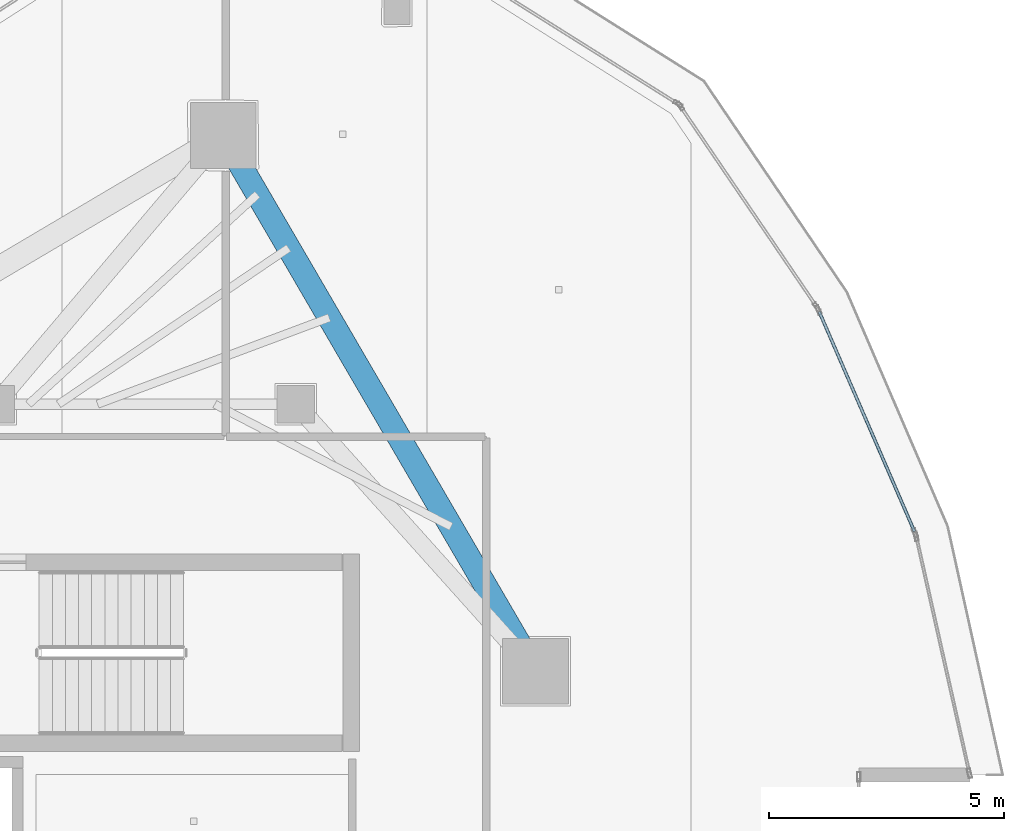
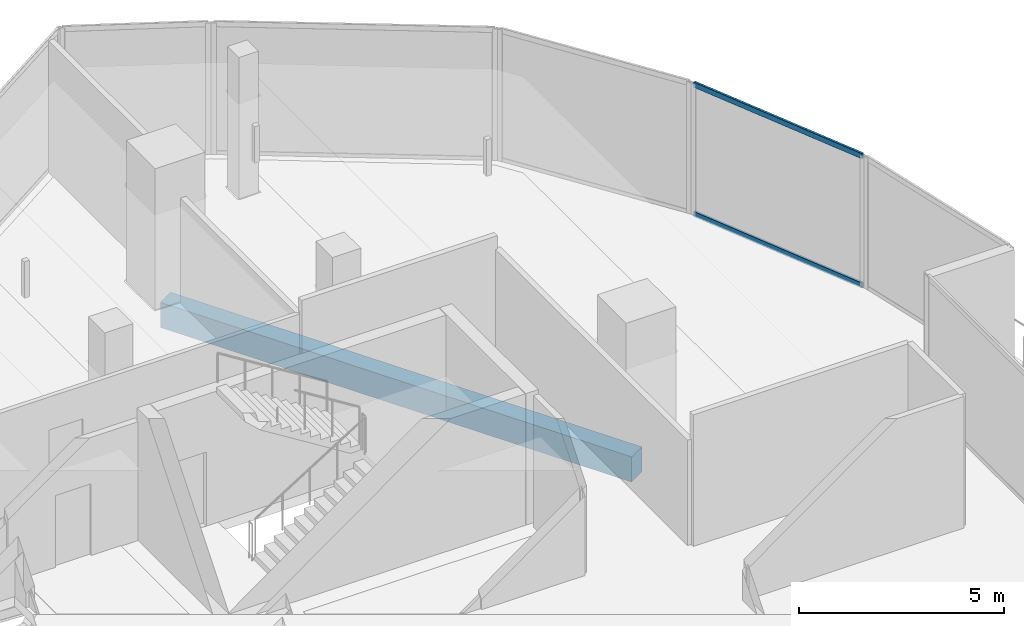
# One storey, part 17 of 27: 2 members, 1 beam, 1 element without a shape of its own.
"""IFC4 building model written with IfcOpenShell, lengths in metres."""

from ifc_helpers import new_model, si_unit, direction, frame, origin, origin_2d, place, context, subcontext, project, spatial, rectangle, hollow_rectangle, extrude, material, layer, layer_set, material_profile, profile_set, type_object, element, aggregate, save


model = new_model("IFC4")

# Units and contexts
model_context = context("Model", 3, precision=1e-05, world=origin(), true_north=direction((0.0, 1.0)))
body_context = subcontext(model_context, "Body", "Model", "MODEL_VIEW")
ifc_project = project(units=[si_unit("LENGTHUNIT", "METRE"), si_unit("AREAUNIT", "SQUARE_METRE"), si_unit("VOLUMEUNIT", "CUBIC_METRE"), si_unit("PLANEANGLEUNIT", "RADIAN"), si_unit("MASSUNIT", "GRAM", prefix="KILO")], contexts=[model_context])

# Site, building, storey
site_placement = place(None, origin())
site = spatial("IfcSite", under=ifc_project, at=site_placement, CompositionType="ELEMENT")
building_placement = place(site_placement, origin())
building = spatial("IfcBuilding", under=site, at=building_placement, Name="Qorvath Tower", CompositionType="ELEMENT")
storey_placement = place(building_placement, frame((0.0, 0.0, 293.39990234375)))
storey = spatial("IfcBuildingStorey", under=building, at=storey_placement, Name="L68", CompositionType="ELEMENT", Elevation=293.39990234375)

# Beam
ifc_material_1 = material(Name="Concrete C45/55", Category="concrete")
ifc_material_profile_1 = material_profile(ifc_material_1, rectangle(XDim=0.5, YDim=0.75, at=origin_2d()), Name="RCB 750x500")
ifc_profile_set_1 = profile_set([ifc_material_profile_1], Name="Concrete C45/55")
beam_type = type_object("IfcBeamType", Name="BM-RCB3", PredefinedType="SPANDREL", material=ifc_profile_set_1)
beam_placement = place(storey_placement, frame((-12.0966796875, 5.7578125, -0.664794921875), z_axis=(-0.503502256692, 0.863993910572, 0.0), x_axis=(-0.863993910572, -0.503502256692, 0.0)))
element("IfcBeam", 1, at=beam_placement, inside=storey, type_object=beam_type, Name="Perimeter Loggia Frame Beam MC5-MC6 L68", PredefinedType="SPANDREL", context=body_context, shape_type="SweptSolid", body=[
    extrude(rectangle(XDim=0.5, YDim=0.75, at=origin_2d()), origin(), (0.0, 0.0, 1.0), 13.215087890625),
])

# Curtain wall, members
ifc_material_2 = material(Name="Anodised aluminium and triple low-E glass", Category="aluminium")
ifc_layer = layer(ifc_material_2, 0.179931640625)
ifc_layer_set = layer_set([ifc_layer], Name="CW-SYS-5")
curtain_wall_type = type_object("IfcCurtainWallType", Name="CW-SYS-5", PredefinedType="NOTDEFINED", material=ifc_layer_set)
curtain_wall_placement = place(storey_placement, origin())
curtain_wall = element("IfcCurtainWall", 2, at=curtain_wall_placement, inside=storey, type_object=curtain_wall_type, Name="Curtain Wall CW-5 CW-T-L68-12.1", PredefinedType="NOTDEFINED")
ifc_material_3 = material(Name="Anodised aluminium 6063-T6", Category="aluminium")
ifc_material_profile_2 = material_profile(ifc_material_3, hollow_rectangle(XDim=0.06494140625, YDim=0.159912109375, WallThickness=0.00341796875, InnerFilletRadius=0.00341796875, OuterFilletRadius=0.007080078125, at=origin_2d()), Name="CWT 160x65")
ifc_profile_set_2 = profile_set([ifc_material_profile_2], Name="Anodised aluminium 6063-T6")
member_type = type_object("IfcMemberType", Name="CWT-160", PredefinedType="USERDEFINED", material=ifc_profile_set_2)
member_1_placement = place(storey_placement, frame((-4.02197265625, 8.73876953125, 0.032470703125), z_axis=(-0.397596689384, 0.91756028281, 0.0), x_axis=(-0.91756028281, -0.397596689384, 0.0)))
member_1 = element("IfcMember", 3, at=member_1_placement, type_object=member_type, Name="CW-5 transom 1.1", ObjectType="TRANSOM", PredefinedType="USERDEFINED", context=body_context, shape_type="SweptSolid", body=[
    extrude(hollow_rectangle(XDim=0.06494140625, YDim=0.159912109375, WallThickness=0.00341796875, InnerFilletRadius=0.00341796875, OuterFilletRadius=0.007080078125, at=origin_2d()), origin(), (0.0, 0.0, 1.0), 5.099609375),
])
member_2_placement = place(storey_placement, frame((-4.02197265625, 8.73876953125, 3.877685546875), z_axis=(-0.397596689384, 0.91756028281, 0.0), x_axis=(-0.91756028281, -0.397596689384, 0.0)))
member_2 = element("IfcMember", 4, at=member_2_placement, type_object=member_type, Name="CW-5 transom 1.2", ObjectType="TRANSOM", PredefinedType="USERDEFINED", context=body_context, shape_type="SweptSolid", body=[
    extrude(hollow_rectangle(XDim=0.06494140625, YDim=0.159912109375, WallThickness=0.00341796875, InnerFilletRadius=0.00341796875, OuterFilletRadius=0.007080078125, at=origin_2d()), origin(), (0.0, 0.0, 1.0), 5.099609375),
])
aggregate(curtain_wall, [member_1, member_2])

save(model, "model.ifc")
